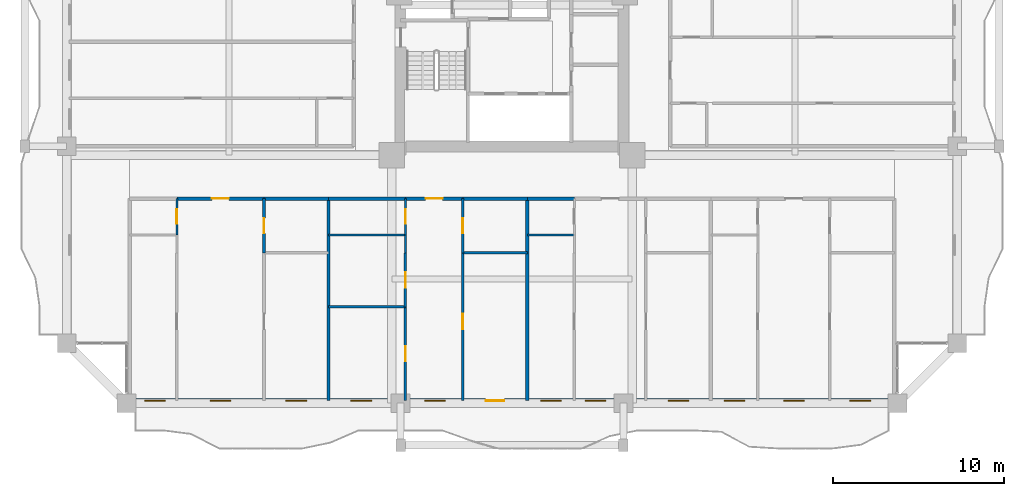
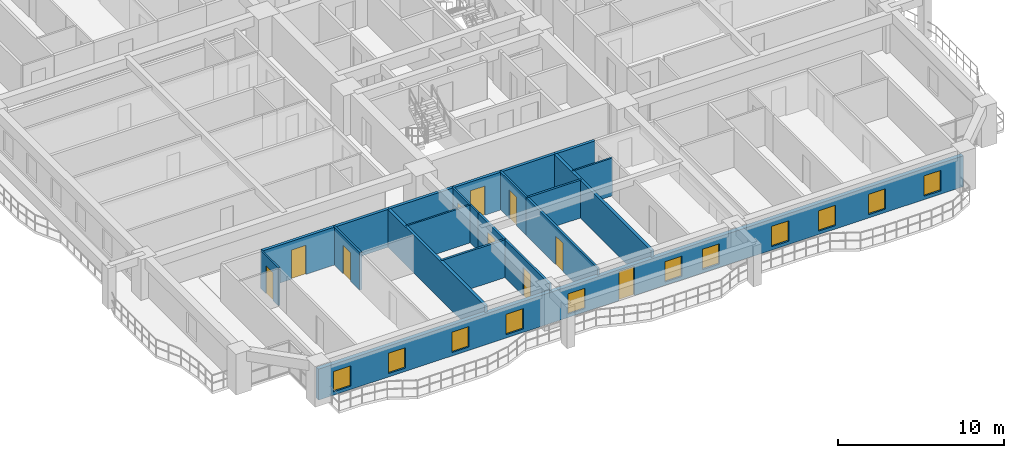
# One storey, part 14 of 27: 21 walls, 11 windows, 10 doors, 21 openings.
"""IFC4 building model written with IfcOpenShell, lengths in metres."""

from ifc_helpers import new_model, si_unit, direction, frame, frame_2d, origin, place, context, subcontext, project, spatial, rectangle, extrude, source, transform, mapped, material, layer, layer_set, type_object, element, fill, save


model = new_model("IFC4")

# Units and contexts
model_context = context("Model", 3, precision=1e-05, world=origin(), true_north=direction((0.0, 1.0)))
body_context = subcontext(model_context, "Body", "Model", "MODEL_VIEW")
ifc_project = project(units=[si_unit("LENGTHUNIT", "METRE"), si_unit("AREAUNIT", "SQUARE_METRE"), si_unit("VOLUMEUNIT", "CUBIC_METRE"), si_unit("PLANEANGLEUNIT", "RADIAN"), si_unit("MASSUNIT", "GRAM", prefix="KILO")], contexts=[model_context])

# Site, building, storey
site_placement = place(None, origin())
site = spatial("IfcSite", under=ifc_project, at=site_placement, CompositionType="ELEMENT")
building_placement = place(site_placement, origin())
building = spatial("IfcBuilding", under=site, at=building_placement, Name="Saelheon Loggia Tower", CompositionType="ELEMENT")
storey_placement = place(building_placement, frame((0.0, 0.0, 34.39990234375)))
storey = spatial("IfcBuildingStorey", under=building, at=storey_placement, Name="L10", CompositionType="ELEMENT", Elevation=34.39990234375)

# Wall, openings, windows, door
ifc_material_1 = material(Name="Architectural Precast Concrete C40/50", Category="concrete")
ifc_layer_1 = layer(ifc_material_1, 0.280029296875)
ifc_layer_set_1 = layer_set([ifc_layer_1], Name="Architectural Precast Concrete C40/50")
wall_type_1 = type_object("IfcWallType", Name="Wall_Ext_Loggia_280", PredefinedType="SOLIDWALL", material=ifc_layer_set_1)
wall_1_placement = place(storey_placement, frame((15.5, 3.139892578125, 0.0), z_axis=(0.0, 0.0, 1.0), x_axis=(1.0, 0.0, 0.0)))
wall_1 = element("IfcWall", 1, at=wall_1_placement, inside=storey, type_object=wall_type_1, Name="L10 South Loggia Inner Wall", PredefinedType="SOLIDWALL", context=body_context, shape_type="SweptSolid", body=[
    extrude(rectangle(XDim=45.0, YDim=0.280029296875, at=frame_2d((22.5, 0.0))), origin(), (0.0, 0.0, 1.0), 2.280029296875),
])
opening_1_placement = place(wall_1_placement, frame((1.06005859375, 0.0, 0.25)))
opening_1 = element("IfcOpeningElement", 2, at=opening_1_placement, cuts=wall_1, Name="Opening WN-03", PredefinedType="OPENING", context=body_context, shape_type="SweptSolid", body=[
    extrude(rectangle(XDim=1.199951171875, YDim=1.5, at=frame_2d((0.60009765625, 0.75))), frame((0.0, 0.152099609375, 0.0), z_axis=(0.0, -1.0, 0.0), x_axis=(1.0, 0.0, 0.0)), (0.0, 0.0, 1.0), 0.303955078125),
])
opening_2_placement = place(wall_1_placement, frame((4.875244140625, 0.0, 0.25)))
opening_2 = element("IfcOpeningElement", 3, at=opening_2_placement, cuts=wall_1, Name="Opening WN-03", PredefinedType="OPENING", context=body_context, shape_type="SweptSolid", body=[
    extrude(rectangle(XDim=1.199951171875, YDim=1.5, at=frame_2d((0.60009765625, 0.75))), frame((0.0, 0.152099609375, 0.0), z_axis=(0.0, -1.0, 0.0), x_axis=(1.0, 0.0, 0.0)), (0.0, 0.0, 1.0), 0.303955078125),
])
opening_3_placement = place(wall_1_placement, frame((9.303466796875, 0.0, 0.25)))
opening_3 = element("IfcOpeningElement", 4, at=opening_3_placement, cuts=wall_1, Name="Opening WN-03", PredefinedType="OPENING", context=body_context, shape_type="SweptSolid", body=[
    extrude(rectangle(XDim=1.199951171875, YDim=1.5, at=frame_2d((0.60009765625, 0.75))), frame((0.0, 0.152099609375, 0.0), z_axis=(0.0, -1.0, 0.0), x_axis=(1.0, 0.0, 0.0)), (0.0, 0.0, 1.0), 0.303955078125),
])
opening_4_placement = place(wall_1_placement, frame((13.09814453125, 0.0, 0.25)))
opening_4 = element("IfcOpeningElement", 5, at=opening_4_placement, cuts=wall_1, Name="Opening WN-03", PredefinedType="OPENING", context=body_context, shape_type="SweptSolid", body=[
    extrude(rectangle(XDim=1.199951171875, YDim=1.5, at=frame_2d((0.60009765625, 0.75))), frame((0.0, 0.152099609375, 0.0), z_axis=(0.0, -1.0, 0.0), x_axis=(1.0, 0.0, 0.0)), (0.0, 0.0, 1.0), 0.303955078125),
])
opening_5_placement = place(wall_1_placement, frame((17.408447265625, 0.0, 0.25)))
opening_5 = element("IfcOpeningElement", 6, at=opening_5_placement, cuts=wall_1, Name="Opening WN-03", PredefinedType="OPENING", context=body_context, shape_type="SweptSolid", body=[
    extrude(rectangle(XDim=1.199951171875, YDim=1.5, at=frame_2d((0.60009765625, 0.75))), frame((0.0, 0.152099609375, 0.0), z_axis=(0.0, -1.0, 0.0), x_axis=(1.0, 0.0, 0.0)), (0.0, 0.0, 1.0), 0.303955078125),
])
opening_6_placement = place(wall_1_placement, frame((22.059814453125, 0.0, 0.0), z_axis=(0.0, 0.0, 1.0), x_axis=(-1.0, 0.0, 0.0)))
opening_6 = element("IfcOpeningElement", 7, at=opening_6_placement, cuts=wall_1, Name="Opening TD1", PredefinedType="OPENING", context=body_context, shape_type="SweptSolid", body=[
    extrude(rectangle(XDim=1.10009765625, YDim=2.14990234375, at=frame_2d((0.550048828125, 1.074951171875))), frame((0.0, 0.152099609375, 0.0), z_axis=(0.0, -1.0, 0.0), x_axis=(1.0, 0.0, 0.0)), (0.0, 0.0, 1.0), 0.303955078125),
])
opening_7_placement = place(wall_1_placement, frame((24.167724609375, 0.0, 0.25)))
opening_7 = element("IfcOpeningElement", 8, at=opening_7_placement, cuts=wall_1, Name="Opening WN-03", PredefinedType="OPENING", context=body_context, shape_type="SweptSolid", body=[
    extrude(rectangle(XDim=1.199951171875, YDim=1.5, at=frame_2d((0.60009765625, 0.75))), frame((0.0, 0.152099609375, 0.0), z_axis=(0.0, -1.0, 0.0), x_axis=(1.0, 0.0, 0.0)), (0.0, 0.0, 1.0), 0.303955078125),
])
opening_8_placement = place(wall_1_placement, frame((26.7763671875, 0.0, 0.25)))
opening_8 = element("IfcOpeningElement", 9, at=opening_8_placement, cuts=wall_1, Name="Opening WN-03", PredefinedType="OPENING", context=body_context, shape_type="SweptSolid", body=[
    extrude(rectangle(XDim=1.199951171875, YDim=1.5, at=frame_2d((0.60009765625, 0.75))), frame((0.0, 0.152099609375, 0.0), z_axis=(0.0, -1.0, 0.0), x_axis=(1.0, 0.0, 0.0)), (0.0, 0.0, 1.0), 0.303955078125),
])
opening_9_placement = place(wall_1_placement, frame((31.61328125, 0.0, 0.25)))
opening_9 = element("IfcOpeningElement", 10, at=opening_9_placement, cuts=wall_1, Name="Opening WN-03", PredefinedType="OPENING", context=body_context, shape_type="SweptSolid", body=[
    extrude(rectangle(XDim=1.199951171875, YDim=1.5, at=frame_2d((0.60009765625, 0.75))), frame((0.0, 0.152099609375, 0.0), z_axis=(0.0, -1.0, 0.0), x_axis=(1.0, 0.0, 0.0)), (0.0, 0.0, 1.0), 0.303955078125),
])
opening_10_placement = place(wall_1_placement, frame((34.88134765625, 0.0, 0.25)))
opening_10 = element("IfcOpeningElement", 11, at=opening_10_placement, cuts=wall_1, Name="Opening WN-03", PredefinedType="OPENING", context=body_context, shape_type="SweptSolid", body=[
    extrude(rectangle(XDim=1.199951171875, YDim=1.5, at=frame_2d((0.60009765625, 0.75))), frame((0.0, 0.152099609375, 0.0), z_axis=(0.0, -1.0, 0.0), x_axis=(1.0, 0.0, 0.0)), (0.0, 0.0, 1.0), 0.303955078125),
])
opening_11_placement = place(wall_1_placement, frame((38.355224609375, 0.0, 0.25)))
opening_11 = element("IfcOpeningElement", 12, at=opening_11_placement, cuts=wall_1, Name="Opening WN-03", PredefinedType="OPENING", context=body_context, shape_type="SweptSolid", body=[
    extrude(rectangle(XDim=1.199951171875, YDim=1.5, at=frame_2d((0.60009765625, 0.75))), frame((0.0, 0.152099609375, 0.0), z_axis=(0.0, -1.0, 0.0), x_axis=(1.0, 0.0, 0.0)), (0.0, 0.0, 1.0), 0.303955078125),
])
opening_12_placement = place(wall_1_placement, frame((42.23193359375, 0.0, 0.25)))
opening_12 = element("IfcOpeningElement", 13, at=opening_12_placement, cuts=wall_1, Name="Opening WN-03", PredefinedType="OPENING", context=body_context, shape_type="SweptSolid", body=[
    extrude(rectangle(XDim=1.199951171875, YDim=1.5, at=frame_2d((0.60009765625, 0.75))), frame((0.0, 0.152099609375, 0.0), z_axis=(0.0, -1.0, 0.0), x_axis=(1.0, 0.0, 0.0)), (0.0, 0.0, 1.0), 0.303955078125),
])
ifc_material_2 = material(Name="Thermal-Break Aluminium and Triple Low-E Glass", Category="aluminium")
window_type = type_object("IfcWindowType", Name="Win_Bedroom_1200x1500", PartitioningType="SINGLE_PANEL", PredefinedType="WINDOW", material=ifc_material_2)
shared_shape_1 = source(origin(), body_context, "Body", "SweptSolid", [
    extrude(rectangle(XDim=1.199951171875, YDim=1.5, at=frame_2d((0.60009765625, 0.75))), frame((0.0, 0.030029296875, 0.0), z_axis=(0.0, -1.0, 0.0), x_axis=(1.0, 0.0, 0.0)), (0.0, 0.0, 1.0), 0.06005859375),
])
window_1_placement = place(opening_1_placement, origin())
window_1 = element("IfcWindow", 14, at=window_1_placement, inside=storey, type_object=window_type, Name="L10 S Dwelling Window 1", OverallHeight=1.5, OverallWidth=1.199951171875, PartitioningType="SINGLE_PANEL", PredefinedType="WINDOW", context=body_context, shape_type="MappedRepresentation", body=[
    mapped(shared_shape_1, transform((0.0, 0.0, 0.0), scale=1.0)),
])
fill(opening_1, window_1)
window_2_placement = place(opening_2_placement, origin())
window_2 = element("IfcWindow", 15, at=window_2_placement, inside=storey, type_object=window_type, Name="L10 S Dwelling Window 2", OverallHeight=1.5, OverallWidth=1.199951171875, PartitioningType="SINGLE_PANEL", PredefinedType="WINDOW", context=body_context, shape_type="MappedRepresentation", body=[
    mapped(shared_shape_1, transform((0.0, 0.0, 0.0), scale=1.0)),
])
fill(opening_2, window_2)
window_3_placement = place(opening_3_placement, origin())
window_3 = element("IfcWindow", 16, at=window_3_placement, inside=storey, type_object=window_type, Name="L10 S Dwelling Window 3", OverallHeight=1.5, OverallWidth=1.199951171875, PartitioningType="SINGLE_PANEL", PredefinedType="WINDOW", context=body_context, shape_type="MappedRepresentation", body=[
    mapped(shared_shape_1, transform((0.0, 0.0, 0.0), scale=1.0)),
])
fill(opening_3, window_3)
window_4_placement = place(opening_4_placement, origin())
window_4 = element("IfcWindow", 17, at=window_4_placement, inside=storey, type_object=window_type, Name="L10 S Dwelling Window 4", OverallHeight=1.5, OverallWidth=1.199951171875, PartitioningType="SINGLE_PANEL", PredefinedType="WINDOW", context=body_context, shape_type="MappedRepresentation", body=[
    mapped(shared_shape_1, transform((0.0, 0.0, 0.0), scale=1.0)),
])
fill(opening_4, window_4)
window_5_placement = place(opening_5_placement, origin())
window_5 = element("IfcWindow", 18, at=window_5_placement, inside=storey, type_object=window_type, Name="L10 S Dwelling Window 5", OverallHeight=1.5, OverallWidth=1.199951171875, PartitioningType="SINGLE_PANEL", PredefinedType="WINDOW", context=body_context, shape_type="MappedRepresentation", body=[
    mapped(shared_shape_1, transform((0.0, 0.0, 0.0), scale=1.0)),
])
fill(opening_5, window_5)
window_6_placement = place(opening_7_placement, origin())
window_6 = element("IfcWindow", 19, at=window_6_placement, inside=storey, type_object=window_type, Name="L10 S Dwelling Window 7", OverallHeight=1.5, OverallWidth=1.199951171875, PartitioningType="SINGLE_PANEL", PredefinedType="WINDOW", context=body_context, shape_type="MappedRepresentation", body=[
    mapped(shared_shape_1, transform((0.0, 0.0, 0.0), scale=1.0)),
])
fill(opening_7, window_6)
window_7_placement = place(opening_8_placement, origin())
window_7 = element("IfcWindow", 20, at=window_7_placement, inside=storey, type_object=window_type, Name="L10 S Dwelling Window 8", OverallHeight=1.5, OverallWidth=1.199951171875, PartitioningType="SINGLE_PANEL", PredefinedType="WINDOW", context=body_context, shape_type="MappedRepresentation", body=[
    mapped(shared_shape_1, transform((0.0, 0.0, 0.0), scale=1.0)),
])
fill(opening_8, window_7)
window_8_placement = place(opening_9_placement, origin())
window_8 = element("IfcWindow", 21, at=window_8_placement, inside=storey, type_object=window_type, Name="L10 S Dwelling Window 9", OverallHeight=1.5, OverallWidth=1.199951171875, PartitioningType="SINGLE_PANEL", PredefinedType="WINDOW", context=body_context, shape_type="MappedRepresentation", body=[
    mapped(shared_shape_1, transform((0.0, 0.0, 0.0), scale=1.0)),
])
fill(opening_9, window_8)
window_9_placement = place(opening_10_placement, origin())
window_9 = element("IfcWindow", 22, at=window_9_placement, inside=storey, type_object=window_type, Name="L10 S Dwelling Window 10", OverallHeight=1.5, OverallWidth=1.199951171875, PartitioningType="SINGLE_PANEL", PredefinedType="WINDOW", context=body_context, shape_type="MappedRepresentation", body=[
    mapped(shared_shape_1, transform((0.0, 0.0, 0.0), scale=1.0)),
])
fill(opening_10, window_9)
window_10_placement = place(opening_11_placement, origin())
window_10 = element("IfcWindow", 23, at=window_10_placement, inside=storey, type_object=window_type, Name="L10 S Dwelling Window 11", OverallHeight=1.5, OverallWidth=1.199951171875, PartitioningType="SINGLE_PANEL", PredefinedType="WINDOW", context=body_context, shape_type="MappedRepresentation", body=[
    mapped(shared_shape_1, transform((0.0, 0.0, 0.0), scale=1.0)),
])
fill(opening_11, window_10)
window_11_placement = place(opening_12_placement, origin())
window_11 = element("IfcWindow", 24, at=window_11_placement, inside=storey, type_object=window_type, Name="L10 S Dwelling Window 12", OverallHeight=1.5, OverallWidth=1.199951171875, PartitioningType="SINGLE_PANEL", PredefinedType="WINDOW", context=body_context, shape_type="MappedRepresentation", body=[
    mapped(shared_shape_1, transform((0.0, 0.0, 0.0), scale=1.0)),
])
fill(opening_12, window_11)
ifc_material_3 = material(Name="Thermal-Break Aluminium Glazed Door", Category="aluminium")
door_type_1 = type_object("IfcDoorType", Name="Door_Terrace_TD1", OperationType="NOTDEFINED", PredefinedType="DOOR", material=ifc_material_3)
shared_shape_2 = source(origin(), body_context, "Body", "SweptSolid", [
    extrude(rectangle(XDim=1.10009765625, YDim=2.14990234375, at=frame_2d((0.550048828125, 1.074951171875))), frame((0.0, 0.02490234375, 0.0), z_axis=(0.0, -1.0, 0.0), x_axis=(1.0, 0.0, 0.0)), (0.0, 0.0, 1.0), 0.050048828125),
])
door_1_placement = place(opening_6_placement, origin())
door_1 = element("IfcDoor", 25, at=door_1_placement, inside=storey, type_object=door_type_1, Name="L10 S Loggia Access Door", OperationType="SINGLE_SWING_RIGHT", OverallHeight=2.14990234375, OverallWidth=1.10009765625, PredefinedType="DOOR", context=body_context, shape_type="MappedRepresentation", body=[
    mapped(shared_shape_2, transform((0.0, 0.0, 0.0), scale=1.0)),
])
fill(opening_6, door_1)

# Wall, opening, door
ifc_material_4 = material(Name="Lightweight Autoclaved Aerated Concrete Block and Acoustic Gypsum", Category="concrete")
ifc_layer_2 = layer(ifc_material_4, 0.14990234375)
ifc_layer_set_2 = layer_set([ifc_layer_2], Name="Lightweight Autoclaved Aerated Concrete Block and Acoustic Gypsum")
wall_type_2 = type_object("IfcWallType", Name="Wall_Part_150", PredefinedType="PARTITIONING", material=ifc_layer_set_2)
wall_2_placement = place(storey_placement, frame((23.5205078125, 14.949951171875, 0.0), z_axis=(0.0, 0.0, 1.0), x_axis=(0.0, -1.0, 0.0)))
wall_2 = element("IfcWall", 26, at=wall_2_placement, inside=storey, type_object=wall_type_2, Name="L10 S Partition U11", PredefinedType="PARTITIONING", context=body_context, shape_type="SweptSolid", body=[
    extrude(rectangle(XDim=3.169921875, YDim=0.14990234375, at=frame_2d((1.5849609375, 0.0))), origin(), (0.0, 0.0, 1.0), 2.7900390625),
])
opening_13_placement = place(wall_2_placement, frame((1.135009765625, 0.0, 0.0)))
opening_13 = element("IfcOpeningElement", 27, at=opening_13_placement, cuts=wall_2, Name="Opening D-IN2", PredefinedType="OPENING", context=body_context, shape_type="SweptSolid", body=[
    extrude(rectangle(XDim=0.89990234375, YDim=2.10009765625, at=frame_2d((0.449951171875, 1.050048828125))), frame((0.0, 0.0869140625, 0.0), z_axis=(0.0, -1.0, 0.0), x_axis=(1.0, 0.0, 0.0)), (0.0, 0.0, 1.0), 0.173828125),
])
ifc_material_5 = material(Name="Engineered Oak Flush Door", Category="timber")
door_type_2 = type_object("IfcDoorType", Name="Door_Int_900", OperationType="NOTDEFINED", PredefinedType="DOOR", material=ifc_material_5)
shared_shape_3 = source(origin(), body_context, "Body", "SweptSolid", [
    extrude(rectangle(XDim=0.89990234375, YDim=2.10009765625, at=frame_2d((0.449951171875, 1.050048828125))), frame((0.0, 0.02490234375, 0.0), z_axis=(0.0, -1.0, 0.0), x_axis=(1.0, 0.0, 0.0)), (0.0, 0.0, 1.0), 0.050048828125),
])
door_2_placement = place(opening_13_placement, origin())
door_2 = element("IfcDoor", 28, at=door_2_placement, inside=storey, type_object=door_type_2, Name="Unit U01 Home Office Door", OperationType="SINGLE_SWING_RIGHT", OverallHeight=2.10009765625, OverallWidth=0.89990234375, PredefinedType="DOOR", context=body_context, shape_type="MappedRepresentation", body=[
    mapped(shared_shape_3, transform((0.0, 0.0, 0.0), scale=1.0)),
])
fill(opening_13, door_2)

# Walls
wall_3_placement = place(storey_placement, frame((35.126953125, 11.780029296875, 0.0), z_axis=(0.0, 0.0, 1.0), x_axis=(1.0, 0.0, 0.0)))
element("IfcWall", 29, at=wall_3_placement, inside=storey, type_object=wall_type_2, Name="L10 S Partition V18", PredefinedType="PARTITIONING", context=body_context, shape_type="SweptSolid", body=[
    extrude(rectangle(XDim=3.765869140625, YDim=0.14990234375, at=frame_2d((1.8828125, 0.0))), origin(), (0.0, 0.0, 1.0), 2.7900390625),
])
wall_4_placement = place(storey_placement, frame((27.286376953125, 8.6298828125, 0.0), z_axis=(0.0, 0.0, 1.0), x_axis=(1.0, 0.0, 0.0)))
element("IfcWall", 30, at=wall_4_placement, inside=storey, type_object=wall_type_2, Name="L10 S Partition V21", PredefinedType="PARTITIONING", context=body_context, shape_type="SweptSolid", body=[
    extrude(rectangle(XDim=4.49365234375, YDim=0.14990234375, at=frame_2d((2.246826171875, 0.0))), origin(), (0.0, 0.0, 1.0), 2.7900390625),
])

# Wall, opening, door
wall_5_placement = place(storey_placement, frame((31.780029296875, 11.780029296875, 0.0), z_axis=(0.0, 0.0, 1.0), x_axis=(0.0, -1.0, 0.0)))
wall_5 = element("IfcWall", 31, at=wall_5_placement, inside=storey, type_object=wall_type_2, Name="L10 S Partition U22", PredefinedType="PARTITIONING", context=body_context, shape_type="SweptSolid", body=[
    extrude(rectangle(XDim=3.150146484375, YDim=0.14990234375, at=frame_2d((1.5751953125, 0.0))), origin(), (0.0, 0.0, 1.0), 2.7900390625),
])
opening_14_placement = place(wall_5_placement, frame((1.125, 0.0, 0.0)))
opening_14 = element("IfcOpeningElement", 32, at=opening_14_placement, cuts=wall_5, Name="Opening D-IN2", PredefinedType="OPENING", context=body_context, shape_type="SweptSolid", body=[
    extrude(rectangle(XDim=0.89990234375, YDim=2.10009765625, at=frame_2d((0.449951171875, 1.050048828125))), frame((0.0, 0.0869140625, 0.0), z_axis=(0.0, -1.0, 0.0), x_axis=(1.0, 0.0, 0.0)), (0.0, 0.0, 1.0), 0.173828125),
])
door_3_placement = place(opening_14_placement, origin())
door_3 = element("IfcDoor", 33, at=door_3_placement, inside=storey, type_object=door_type_2, Name="Unit U02 Kitchen Door", OperationType="SINGLE_SWING_RIGHT", OverallHeight=2.10009765625, OverallWidth=0.89990234375, PredefinedType="DOOR", context=body_context, shape_type="MappedRepresentation", body=[
    mapped(shared_shape_3, transform((0.0, 0.0, 0.0), scale=1.0)),
])
fill(opening_14, door_3)

wall_6_placement = place(storey_placement, frame((31.780029296875, 8.6298828125, 0.0), z_axis=(0.0, 0.0, 1.0), x_axis=(0.0, -1.0, 0.0)))
wall_6 = element("IfcWall", 34, at=wall_6_placement, inside=storey, type_object=wall_type_2, Name="L10 S Partition U23", PredefinedType="PARTITIONING", context=body_context, shape_type="SweptSolid", body=[
    extrude(rectangle(XDim=5.47998046875, YDim=0.14990234375, at=frame_2d((2.739990234375, 0.0))), origin(), (0.0, 0.0, 1.0), 2.7900390625),
])
opening_15_placement = place(wall_6_placement, frame((2.2900390625, 0.0, 0.0)))
opening_15 = element("IfcOpeningElement", 35, at=opening_15_placement, cuts=wall_6, Name="Opening D-IN2", PredefinedType="OPENING", context=body_context, shape_type="SweptSolid", body=[
    extrude(rectangle(XDim=0.89990234375, YDim=2.10009765625, at=frame_2d((0.449951171875, 1.050048828125))), frame((0.0, 0.0869140625, 0.0), z_axis=(0.0, -1.0, 0.0), x_axis=(1.0, 0.0, 0.0)), (0.0, 0.0, 1.0), 0.173828125),
])
door_4_placement = place(opening_15_placement, origin())
door_4 = element("IfcDoor", 36, at=door_4_placement, inside=storey, type_object=door_type_2, Name="Unit U02 Utility Door", OperationType="SINGLE_SWING_LEFT", OverallHeight=2.10009765625, OverallWidth=0.89990234375, PredefinedType="DOOR", context=body_context, shape_type="MappedRepresentation", body=[
    mapped(shared_shape_3, transform((0.0, 0.0, 0.0), scale=1.0)),
])
fill(opening_15, door_4)

wall_7_placement = place(storey_placement, frame((35.126953125, 14.949951171875, 0.0), z_axis=(0.0, 0.0, 1.0), x_axis=(0.0, -1.0, 0.0)))
wall_7 = element("IfcWall", 37, at=wall_7_placement, inside=storey, type_object=wall_type_2, Name="L10 S Partition U24", PredefinedType="PARTITIONING", context=body_context, shape_type="SweptSolid", body=[
    extrude(rectangle(XDim=3.169921875, YDim=0.14990234375, at=frame_2d((1.5849609375, 0.0))), origin(), (0.0, 0.0, 1.0), 2.7900390625),
])
opening_16_placement = place(wall_7_placement, frame((1.135009765625, 0.0, 0.0)))
opening_16 = element("IfcOpeningElement", 38, at=opening_16_placement, cuts=wall_7, Name="Opening D-IN2", PredefinedType="OPENING", context=body_context, shape_type="SweptSolid", body=[
    extrude(rectangle(XDim=0.89990234375, YDim=2.10009765625, at=frame_2d((0.449951171875, 1.050048828125))), frame((0.0, 0.0869140625, 0.0), z_axis=(0.0, -1.0, 0.0), x_axis=(1.0, 0.0, 0.0)), (0.0, 0.0, 1.0), 0.173828125),
])
door_5_placement = place(opening_16_placement, origin())
door_5 = element("IfcDoor", 39, at=door_5_placement, inside=storey, type_object=door_type_2, Name="Unit U02 Home Office Door", OperationType="SINGLE_SWING_RIGHT", OverallHeight=2.10009765625, OverallWidth=0.89990234375, PredefinedType="DOOR", context=body_context, shape_type="MappedRepresentation", body=[
    mapped(shared_shape_3, transform((0.0, 0.0, 0.0), scale=1.0)),
])
fill(opening_16, door_5)

wall_8_placement = place(storey_placement, frame((35.126953125, 11.780029296875, 0.0), z_axis=(0.0, 0.0, 1.0), x_axis=(0.0, -1.0, 0.0)))
wall_8 = element("IfcWall", 40, at=wall_8_placement, inside=storey, type_object=wall_type_2, Name="L10 S Partition U25", PredefinedType="PARTITIONING", context=body_context, shape_type="SweptSolid", body=[
    extrude(rectangle(XDim=8.630126953125, YDim=0.14990234375, at=frame_2d((4.31494140625, 0.0))), origin(), (0.0, 0.0, 1.0), 2.7900390625),
])
opening_17_placement = place(wall_8_placement, frame((3.56298828125, 0.0, 0.0)))
opening_17 = element("IfcOpeningElement", 41, at=opening_17_placement, cuts=wall_8, Name="Opening D-IN2", PredefinedType="OPENING", context=body_context, shape_type="SweptSolid", body=[
    extrude(rectangle(XDim=0.89990234375, YDim=2.10009765625, at=frame_2d((0.449951171875, 1.050048828125))), frame((0.0, 0.0869140625, 0.0), z_axis=(0.0, -1.0, 0.0), x_axis=(1.0, 0.0, 0.0)), (0.0, 0.0, 1.0), 0.173828125),
])
door_6_placement = place(opening_17_placement, origin())
door_6 = element("IfcDoor", 42, at=door_6_placement, inside=storey, type_object=door_type_2, Name="Unit U02 Bedroom 1 Door", OperationType="SINGLE_SWING_LEFT", OverallHeight=2.10009765625, OverallWidth=0.89990234375, PredefinedType="DOOR", context=body_context, shape_type="MappedRepresentation", body=[
    mapped(shared_shape_3, transform((0.0, 0.0, 0.0), scale=1.0)),
])
fill(opening_17, door_6)

ifc_material_6 = material(Name="Double Acoustic Stud and Fireboard Partition", Category="gypsum")
ifc_layer_3 = layer(ifc_material_6, 0.199951171875)
ifc_layer_set_3 = layer_set([ifc_layer_3], Name="Double Acoustic Stud and Fireboard Partition")
wall_type_3 = type_object("IfcWallType", Name="Wall_Party_200", PredefinedType="PARTITIONING", material=ifc_layer_set_3)
wall_9_placement = place(storey_placement, frame((18.429931640625, 14.949951171875, 0.0), z_axis=(0.0, 0.0, 1.0), x_axis=(1.0, 0.0, 0.0)))
wall_9 = element("IfcWall", 43, at=wall_9_placement, inside=storey, type_object=wall_type_3, Name="L10 S Partition V04", PredefinedType="PARTITIONING", context=body_context, shape_type="SweptSolid", body=[
    extrude(rectangle(XDim=5.090576171875, YDim=0.199951171875, at=frame_2d((2.54541015625, 0.0))), origin(), (0.0, 0.0, 1.0), 2.7900390625),
])
opening_18_placement = place(wall_9_placement, frame((2.045166015625, 0.0, 0.0)))
opening_18 = element("IfcOpeningElement", 44, at=opening_18_placement, cuts=wall_9, Name="Opening D-FD1", PredefinedType="OPENING", context=body_context, shape_type="SweptSolid", body=[
    extrude(rectangle(XDim=1.0, YDim=2.14990234375, at=frame_2d((0.5, 1.074951171875))), frame((0.0, 0.112060546875, 0.0), z_axis=(0.0, -1.0, 0.0), x_axis=(1.0, 0.0, 0.0)), (0.0, 0.0, 1.0), 0.223876953125),
])
ifc_material_7 = material(Name="Fire-Rated Engineered Timber Entrance Door", Category="wood")
door_type_3 = type_object("IfcDoorType", Name="Door_Flat_FD30S", OperationType="NOTDEFINED", PredefinedType="DOOR", material=ifc_material_7)
shared_shape_4 = source(origin(), body_context, "Body", "SweptSolid", [
    extrude(rectangle(XDim=1.0, YDim=2.14990234375, at=frame_2d((0.5, 1.074951171875))), frame((0.0, 0.02490234375, 0.0), z_axis=(0.0, -1.0, 0.0), x_axis=(1.0, 0.0, 0.0)), (0.0, 0.0, 1.0), 0.050048828125),
])
door_7_placement = place(opening_18_placement, origin())
door_7 = element("IfcDoor", 45, at=door_7_placement, inside=storey, type_object=door_type_3, Name="Unit U01 Entrance Door", OperationType="SINGLE_SWING_LEFT", OverallHeight=2.14990234375, OverallWidth=1.0, PredefinedType="DOOR", context=body_context, shape_type="MappedRepresentation", body=[
    mapped(shared_shape_4, transform((0.0, 0.0, 0.0), scale=1.0)),
])
fill(opening_18, door_7)

# Walls
wall_10_placement = place(storey_placement, frame((23.5205078125, 14.949951171875, 0.0), z_axis=(0.0, 0.0, 1.0), x_axis=(1.0, 0.0, 0.0)))
element("IfcWall", 46, at=wall_10_placement, inside=storey, type_object=wall_type_3, Name="L10 S Partition V05", PredefinedType="PARTITIONING", context=body_context, shape_type="SweptSolid", body=[
    extrude(rectangle(XDim=3.765869140625, YDim=0.199951171875, at=frame_2d((1.8828125, 0.0))), origin(), (0.0, 0.0, 1.0), 2.7900390625),
])
wall_11_placement = place(storey_placement, frame((27.286376953125, 14.949951171875, 0.0), z_axis=(0.0, 0.0, 1.0), x_axis=(0.0, -1.0, 0.0)))
element("IfcWall", 47, at=wall_11_placement, inside=storey, type_object=wall_type_3, Name="L10 S Partition U13", PredefinedType="PARTITIONING", context=body_context, shape_type="SweptSolid", body=[
    extrude(rectangle(XDim=11.800048828125, YDim=0.199951171875, at=frame_2d((5.89990234375, 0.0))), origin(), (0.0, 0.0, 1.0), 2.7900390625),
])
wall_12_placement = place(storey_placement, frame((27.286376953125, 14.949951171875, 0.0), z_axis=(0.0, 0.0, 1.0), x_axis=(1.0, 0.0, 0.0)))
element("IfcWall", 48, at=wall_12_placement, inside=storey, type_object=wall_type_3, Name="L10 S Partition V14", PredefinedType="PARTITIONING", context=body_context, shape_type="SweptSolid", body=[
    extrude(rectangle(XDim=4.49365234375, YDim=0.199951171875, at=frame_2d((2.246826171875, 0.0))), origin(), (0.0, 0.0, 1.0), 2.7900390625),
])

# Wall, opening, door
wall_13_placement = place(storey_placement, frame((31.780029296875, 14.949951171875, 0.0), z_axis=(0.0, 0.0, 1.0), x_axis=(1.0, 0.0, 0.0)))
wall_13 = element("IfcWall", 49, at=wall_13_placement, inside=storey, type_object=wall_type_3, Name="L10 S Partition V15", PredefinedType="PARTITIONING", context=body_context, shape_type="SweptSolid", body=[
    extrude(rectangle(XDim=3.346923828125, YDim=0.199951171875, at=frame_2d((1.67333984375, 0.0))), origin(), (0.0, 0.0, 1.0), 2.7900390625),
])
opening_19_placement = place(wall_13_placement, frame((1.17333984375, 0.0, 0.0)))
opening_19 = element("IfcOpeningElement", 50, at=opening_19_placement, cuts=wall_13, Name="Opening D-FD1", PredefinedType="OPENING", context=body_context, shape_type="SweptSolid", body=[
    extrude(rectangle(XDim=1.0, YDim=2.14990234375, at=frame_2d((0.5, 1.074951171875))), frame((0.0, 0.112060546875, 0.0), z_axis=(0.0, -1.0, 0.0), x_axis=(1.0, 0.0, 0.0)), (0.0, 0.0, 1.0), 0.223876953125),
])
door_8_placement = place(opening_19_placement, origin())
door_8 = element("IfcDoor", 51, at=door_8_placement, inside=storey, type_object=door_type_3, Name="Unit U02 Entrance Door", OperationType="SINGLE_SWING_RIGHT", OverallHeight=2.14990234375, OverallWidth=1.0, PredefinedType="DOOR", context=body_context, shape_type="MappedRepresentation", body=[
    mapped(shared_shape_4, transform((0.0, 0.0, 0.0), scale=1.0)),
])
fill(opening_19, door_8)

# Walls
wall_14_placement = place(storey_placement, frame((35.126953125, 14.949951171875, 0.0), z_axis=(0.0, 0.0, 1.0), x_axis=(1.0, 0.0, 0.0)))
element("IfcWall", 52, at=wall_14_placement, inside=storey, type_object=wall_type_3, Name="L10 S Partition V16", PredefinedType="PARTITIONING", context=body_context, shape_type="SweptSolid", body=[
    extrude(rectangle(XDim=3.765869140625, YDim=0.199951171875, at=frame_2d((1.8828125, 0.0))), origin(), (0.0, 0.0, 1.0), 2.7900390625),
])
wall_15_placement = place(storey_placement, frame((38.892822265625, 14.949951171875, 0.0), z_axis=(0.0, 0.0, 1.0), x_axis=(0.0, -1.0, 0.0)))
element("IfcWall", 53, at=wall_15_placement, inside=storey, type_object=wall_type_3, Name="L10 S Partition U26", PredefinedType="PARTITIONING", context=body_context, shape_type="SweptSolid", body=[
    extrude(rectangle(XDim=11.800048828125, YDim=0.199951171875, at=frame_2d((5.89990234375, 0.0))), origin(), (0.0, 0.0, 1.0), 2.7900390625),
])
wall_16_placement = place(storey_placement, frame((38.892822265625, 14.949951171875, 0.0), z_axis=(0.0, 0.0, 1.0), x_axis=(1.0, 0.0, 0.0)))
element("IfcWall", 54, at=wall_16_placement, inside=storey, type_object=wall_type_3, Name="L10 S Partition V27", PredefinedType="PARTITIONING", context=body_context, shape_type="SweptSolid", body=[
    extrude(rectangle(XDim=2.75, YDim=0.199951171875, at=frame_2d((1.375, 0.0))), origin(), (0.0, 0.0, 1.0), 2.7900390625),
])

# Wall, opening, door
ifc_material_8 = material(Name="Moisture-Resistant Cement Board Partition", Category="gypsum")
ifc_layer_4 = layer(ifc_material_8, 0.1201171875)
ifc_layer_set_4 = layer_set([ifc_layer_4], Name="Moisture-Resistant Cement Board Partition")
wall_type_4 = type_object("IfcWallType", Name="Wall_WetPart_120", PredefinedType="PARTITIONING", material=ifc_layer_set_4)
wall_17_placement = place(storey_placement, frame((18.429931640625, 14.949951171875, 0.0), z_axis=(0.0, 0.0, 1.0), x_axis=(0.0, -1.0, 0.0)))
wall_17 = element("IfcWall", 55, at=wall_17_placement, inside=storey, type_object=wall_type_4, Name="L10 S Partition U08", PredefinedType="PARTITIONING", context=body_context, shape_type="SweptSolid", body=[
    extrude(rectangle(XDim=2.119873046875, YDim=0.1201171875, at=frame_2d((1.06005859375, 0.0))), origin(), (0.0, 0.0, 1.0), 2.7900390625),
])
opening_20_placement = place(wall_17_placement, frame((0.635009765625, 0.0, 0.0)))
opening_20 = element("IfcOpeningElement", 56, at=opening_20_placement, cuts=wall_17, Name="Opening D-BT1", PredefinedType="OPENING", context=body_context, shape_type="SweptSolid", body=[
    extrude(rectangle(XDim=0.85009765625, YDim=2.050048828125, at=frame_2d((0.425048828125, 1.02490234375))), frame((0.0, 0.072021484375, 0.0), z_axis=(0.0, -1.0, 0.0), x_axis=(1.0, 0.0, 0.0)), (0.0, 0.0, 1.0), 0.14404296875),
])
ifc_material_9 = material(Name="Moisture-Resistant Laminate Timber Door", Category="wood")
door_type_4 = type_object("IfcDoorType", Name="Door_Bath_850", OperationType="NOTDEFINED", PredefinedType="DOOR", material=ifc_material_9)
shared_shape_5 = source(origin(), body_context, "Body", "SweptSolid", [
    extrude(rectangle(XDim=0.85009765625, YDim=2.050048828125, at=frame_2d((0.425048828125, 1.02490234375))), frame((0.0, 0.02490234375, 0.0), z_axis=(0.0, -1.0, 0.0), x_axis=(1.0, 0.0, 0.0)), (0.0, 0.0, 1.0), 0.050048828125),
])
door_9_placement = place(opening_20_placement, origin())
door_9 = element("IfcDoor", 57, at=door_9_placement, inside=storey, type_object=door_type_4, Name="Unit U01 Bathroom Door", OperationType="SINGLE_SWING_RIGHT", OverallHeight=2.050048828125, OverallWidth=0.85009765625, PredefinedType="DOOR", context=body_context, shape_type="MappedRepresentation", body=[
    mapped(shared_shape_5, transform((0.0, 0.0, 0.0), scale=1.0)),
])
fill(opening_20, door_9)

# Wall
wall_18_placement = place(storey_placement, frame((27.286376953125, 12.830078125, 0.0), z_axis=(0.0, 0.0, 1.0), x_axis=(1.0, 0.0, 0.0)))
element("IfcWall", 58, at=wall_18_placement, inside=storey, type_object=wall_type_4, Name="L10 S Partition V17", PredefinedType="PARTITIONING", context=body_context, shape_type="SweptSolid", body=[
    extrude(rectangle(XDim=4.49365234375, YDim=0.1201171875, at=frame_2d((2.246826171875, 0.0))), origin(), (0.0, 0.0, 1.0), 2.7900390625),
])

# Wall, opening, door
wall_19_placement = place(storey_placement, frame((31.780029296875, 14.949951171875, 0.0), z_axis=(0.0, 0.0, 1.0), x_axis=(0.0, -1.0, 0.0)))
wall_19 = element("IfcWall", 59, at=wall_19_placement, inside=storey, type_object=wall_type_4, Name="L10 S Partition U19", PredefinedType="PARTITIONING", context=body_context, shape_type="SweptSolid", body=[
    extrude(rectangle(XDim=2.119873046875, YDim=0.1201171875, at=frame_2d((1.06005859375, 0.0))), origin(), (0.0, 0.0, 1.0), 2.7900390625),
])
opening_21_placement = place(wall_19_placement, frame((0.635009765625, 0.0, 0.0)))
opening_21 = element("IfcOpeningElement", 60, at=opening_21_placement, cuts=wall_19, Name="Opening D-BT1", PredefinedType="OPENING", context=body_context, shape_type="SweptSolid", body=[
    extrude(rectangle(XDim=0.85009765625, YDim=2.050048828125, at=frame_2d((0.425048828125, 1.02490234375))), frame((0.0, 0.072021484375, 0.0), z_axis=(0.0, -1.0, 0.0), x_axis=(1.0, 0.0, 0.0)), (0.0, 0.0, 1.0), 0.14404296875),
])
door_10_placement = place(opening_21_placement, origin())
door_10 = element("IfcDoor", 61, at=door_10_placement, inside=storey, type_object=door_type_4, Name="Unit U02 Bathroom Door", OperationType="SINGLE_SWING_LEFT", OverallHeight=2.050048828125, OverallWidth=0.85009765625, PredefinedType="DOOR", context=body_context, shape_type="MappedRepresentation", body=[
    mapped(shared_shape_5, transform((0.0, 0.0, 0.0), scale=1.0)),
])
fill(opening_21, door_10)

# Walls
wall_20_placement = place(storey_placement, frame((31.780029296875, 12.830078125, 0.0), z_axis=(0.0, 0.0, 1.0), x_axis=(0.0, -1.0, 0.0)))
element("IfcWall", 62, at=wall_20_placement, inside=storey, type_object=wall_type_4, Name="L10 S Partition U20", PredefinedType="PARTITIONING", context=body_context, shape_type="SweptSolid", body=[
    extrude(rectangle(XDim=1.050048828125, YDim=0.1201171875, at=frame_2d((0.52490234375, 0.0))), origin(), (0.0, 0.0, 1.0), 2.7900390625),
])
wall_21_placement = place(storey_placement, frame((38.892822265625, 12.830078125, 0.0), z_axis=(0.0, 0.0, 1.0), x_axis=(1.0, 0.0, 0.0)))
element("IfcWall", 63, at=wall_21_placement, inside=storey, type_object=wall_type_4, Name="L10 S Partition V30", PredefinedType="PARTITIONING", context=body_context, shape_type="SweptSolid", body=[
    extrude(rectangle(XDim=2.75, YDim=0.1201171875, at=frame_2d((1.375, 0.0))), origin(), (0.0, 0.0, 1.0), 2.7900390625),
])

save(model, "model.ifc")
